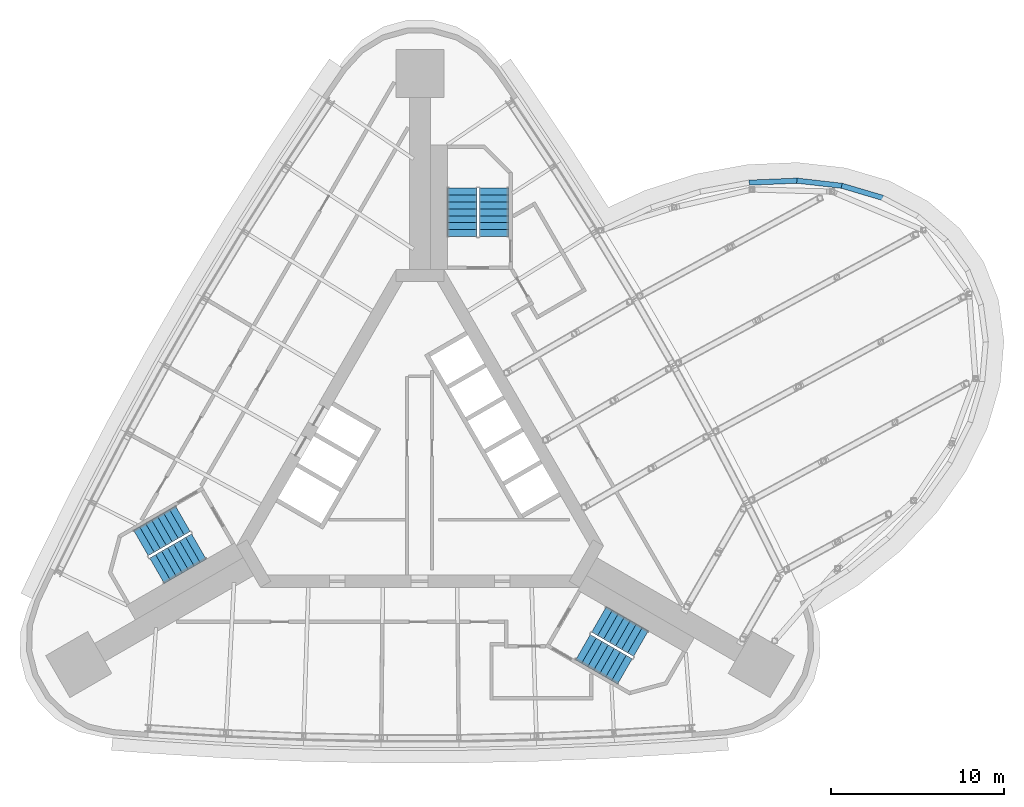
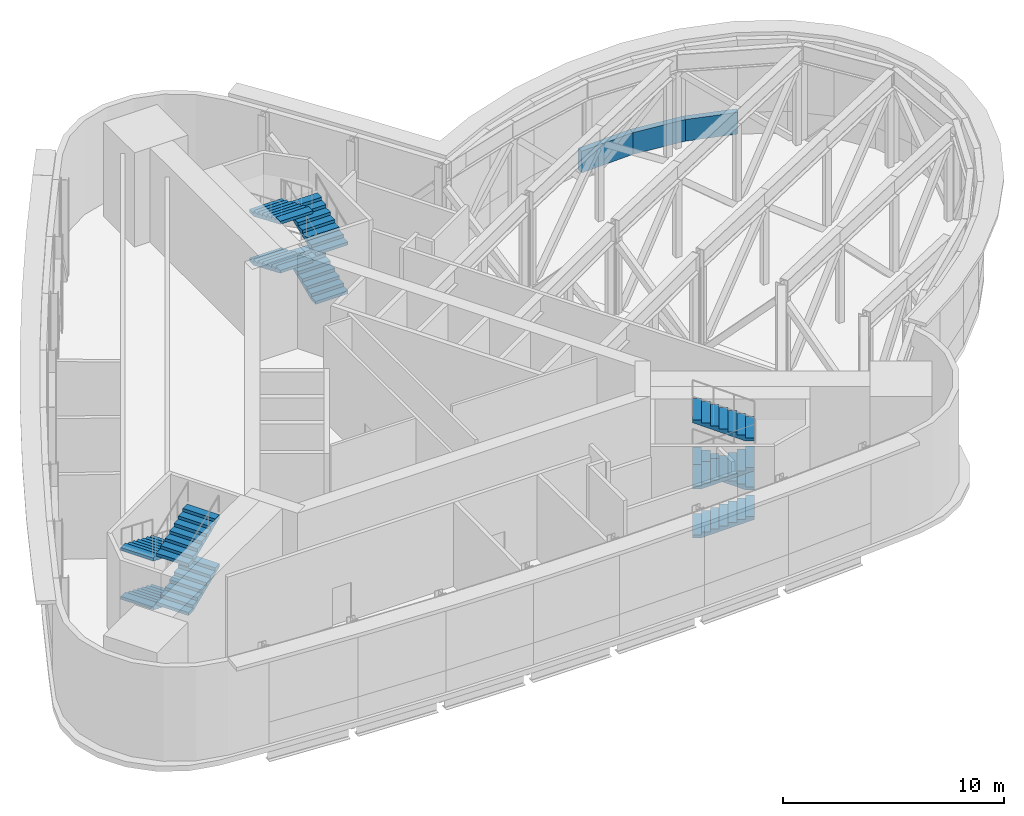
# One storey, part 9 of 11: 12 stair flights, 3 walls, 3 elements without a shape of their own.
"""IFC4 building model written with IfcOpenShell, lengths in metres."""

from ifc_helpers import new_model, si_unit, direction, frame, origin, place, context, subcontext, project, spatial, polyline, outline, extrude, material, layer, layer_set, type_object, element, aggregate, save


model = new_model("IFC4")

# Units and contexts
model_context = context("Model", 3, precision=1e-05, world=origin(), true_north=direction((0.0, 1.0)))
body_context = subcontext(model_context, "Body", "Model", "MODEL_VIEW")
ifc_project = project(units=[si_unit("LENGTHUNIT", "METRE"), si_unit("AREAUNIT", "SQUARE_METRE"), si_unit("VOLUMEUNIT", "CUBIC_METRE"), si_unit("PLANEANGLEUNIT", "RADIAN"), si_unit("MASSUNIT", "GRAM", prefix="KILO")], contexts=[model_context])

# Site, building, storey
site_placement = place(None, origin())
site = spatial("IfcSite", under=ifc_project, at=site_placement, CompositionType="ELEMENT")
building_placement = place(site_placement, origin())
building = spatial("IfcBuilding", under=site, at=building_placement, Name="Noor Cloister Tower", CompositionType="ELEMENT")
storey_placement = place(building_placement, frame((0.0, 0.0, 168.89990234375)))
storey = spatial("IfcBuildingStorey", under=building, at=storey_placement, Name="L43", CompositionType="ELEMENT", Elevation=168.89990234375)

# Walls
ifc_material_1 = material(Name="Limestone", Category="masonry")
ifc_layer = layer(ifc_material_1, 0.300048828125)
ifc_layer_set = layer_set([ifc_layer], Name="Limestone panel wall 300")
wall_type = type_object("IfcWallType", Name="Limestone panel wall 300", PredefinedType="NOTDEFINED", material=ifc_layer_set)
wall_1_placement = place(storey_placement, origin())
element("IfcWall", 1, at=wall_1_placement, inside=storey, type_object=wall_type, Name="Limestone panel wall L43 3.13", PredefinedType="NOTDEFINED", context=body_context, shape_type="SweptSolid", body=[
    extrude(outline(polyline([(26.80224609375, 15.735107421875), (24.428955078125, 16.4384765625), (24.34375, 16.15087890625), (26.717041015625, 15.447509765625), (26.80224609375, 15.735107421875)])), origin(), (0.0, 0.0, 1.0), 1.2001953125),
])
wall_2_placement = place(storey_placement, origin())
element("IfcWall", 2, at=wall_2_placement, inside=storey, type_object=wall_type, Name="Limestone panel wall L43 3.14", PredefinedType="NOTDEFINED", context=body_context, shape_type="SweptSolid", body=[
    extrude(outline(polyline([(24.428955078125, 16.4384765625), (21.81201171875, 16.737060546875), (21.778076171875, 16.43896484375), (24.39501953125, 16.140625), (24.428955078125, 16.4384765625)])), origin(), (0.0, 0.0, 1.0), 1.2001953125),
])
wall_3_placement = place(storey_placement, origin())
element("IfcWall", 3, at=wall_3_placement, inside=storey, type_object=wall_type, Name="Limestone panel wall L43 3.15", PredefinedType="NOTDEFINED", context=body_context, shape_type="SweptSolid", body=[
    extrude(outline(polyline([(21.81201171875, 16.737060546875), (19.03125, 16.62158203125), (19.043701171875, 16.322021484375), (21.824462890625, 16.437255859375), (21.81201171875, 16.737060546875)])), origin(), (0.0, 0.0, 1.0), 1.2001953125),
])

# Stair, stair flights
ifc_material_2 = material(Name="Concrete C40/50", Category="concrete")
stair_type = type_object("IfcStairType", Name="Exit stair 32 risers", PredefinedType="HALF_TURN_STAIR", material=ifc_material_2)
stair_1_placement = place(storey_placement, origin())
stair_1 = element("IfcStair", 4, at=stair_1_placement, inside=storey, type_object=stair_type, Name="Exit stair ST1 L43", PredefinedType="HALF_TURN_STAIR")
ifc_material_3 = material(Name="Concrete C40/50", Category="concrete")
stair_flight_type = type_object("IfcStairFlightType", Name="Exit stair flight", PredefinedType="STRAIGHT", material=ifc_material_3)
stair_flight_1_placement = place(storey_placement, frame((4.28564453125, 13.3564453125, 0.0), z_axis=(0.0, 0.0, 1.0), x_axis=(0.0, 1.0, 0.0)))
stair_flight_1 = element("IfcStairFlight", 5, at=stair_flight_1_placement, type_object=stair_flight_type, Name="ST1 flight 1", NumberOfRisers=8, NumberOfTreads=7, PredefinedType="STRAIGHT", RiserHeight=0.16875, TreadLength=0.4, context=body_context, shape_type="SweptSolid", body=[
    extrude(outline(polyline([(0.0, 0.0), (0.0, 0.168701171875), (0.39990234375, 0.168701171875), (0.39990234375, 0.33740234375), (0.800048828125, 0.33740234375), (0.800048828125, 0.50634765625), (1.199951171875, 0.50634765625), (1.199951171875, 0.675048828125), (1.60009765625, 0.675048828125), (1.60009765625, 0.84375), (2.0, 0.84375), (2.0, 1.012451171875), (2.39990234375, 1.012451171875), (2.39990234375, 1.18115234375), (2.800048828125, 1.18115234375), (2.800048828125, 1.35009765625), (2.800048828125, 1.0185546875), (0.3857421875, 0.0), (0.0, 0.0)])), frame((0.0, 0.85009765625, 0.0), z_axis=(0.0, -1.0, 0.0), x_axis=(1.0, 0.0, 0.0)), (0.0, 0.0, 1.0), 1.699951171875),
])
stair_flight_2_placement = place(storey_placement, frame((2.435546875, 16.156494140625, 1.35009765625), z_axis=(0.0, 0.0, 1.0), x_axis=(0.0, -1.0, 0.0)))
stair_flight_2 = element("IfcStairFlight", 6, at=stair_flight_2_placement, type_object=stair_flight_type, Name="ST1 flight 2", NumberOfRisers=8, NumberOfTreads=7, PredefinedType="STRAIGHT", RiserHeight=0.16875, TreadLength=0.4, context=body_context, shape_type="SweptSolid", body=[
    extrude(outline(polyline([(0.0, 0.0), (0.0, 0.168701171875), (0.39990234375, 0.168701171875), (0.39990234375, 0.33740234375), (0.800048828125, 0.33740234375), (0.800048828125, 0.50634765625), (1.199951171875, 0.50634765625), (1.199951171875, 0.675048828125), (1.60009765625, 0.675048828125), (1.60009765625, 0.84375), (2.0, 0.84375), (2.0, 1.012451171875), (2.39990234375, 1.012451171875), (2.39990234375, 1.18115234375), (2.800048828125, 1.18115234375), (2.800048828125, 1.35009765625), (2.800048828125, 1.0185546875), (0.3857421875, 0.0), (0.0, 0.0)])), frame((0.0, 0.85009765625, 0.0), z_axis=(0.0, -1.0, 0.0), x_axis=(1.0, 0.0, 0.0)), (0.0, 0.0, 1.0), 1.699951171875),
])
stair_flight_3_placement = place(storey_placement, frame((4.28564453125, 13.3564453125, 2.7001953125), z_axis=(0.0, 0.0, 1.0), x_axis=(0.0, 1.0, 0.0)))
stair_flight_3 = element("IfcStairFlight", 7, at=stair_flight_3_placement, type_object=stair_flight_type, Name="ST1 flight 3", NumberOfRisers=8, NumberOfTreads=7, PredefinedType="STRAIGHT", RiserHeight=0.16875, TreadLength=0.4, context=body_context, shape_type="SweptSolid", body=[
    extrude(outline(polyline([(0.0, 0.0), (0.0, 0.168701171875), (0.39990234375, 0.168701171875), (0.39990234375, 0.33740234375), (0.800048828125, 0.33740234375), (0.800048828125, 0.50634765625), (1.199951171875, 0.50634765625), (1.199951171875, 0.675048828125), (1.60009765625, 0.675048828125), (1.60009765625, 0.84375), (2.0, 0.84375), (2.0, 1.012451171875), (2.39990234375, 1.012451171875), (2.39990234375, 1.18115234375), (2.800048828125, 1.18115234375), (2.800048828125, 1.35009765625), (2.800048828125, 1.0185546875), (0.3857421875, 0.0), (0.0, 0.0)])), frame((0.0, 0.85009765625, 0.0), z_axis=(0.0, -1.0, 0.0), x_axis=(1.0, 0.0, 0.0)), (0.0, 0.0, 1.0), 1.699951171875),
])
stair_flight_4_placement = place(storey_placement, frame((2.435546875, 16.156494140625, 4.050048828125), z_axis=(0.0, 0.0, 1.0), x_axis=(0.0, -1.0, 0.0)))
stair_flight_4 = element("IfcStairFlight", 8, at=stair_flight_4_placement, type_object=stair_flight_type, Name="ST1 flight 4", NumberOfRisers=8, NumberOfTreads=7, PredefinedType="STRAIGHT", RiserHeight=0.16875, TreadLength=0.4, context=body_context, shape_type="SweptSolid", body=[
    extrude(outline(polyline([(0.0, 0.0), (0.0, 0.168701171875), (0.39990234375, 0.168701171875), (0.39990234375, 0.33740234375), (0.800048828125, 0.33740234375), (0.800048828125, 0.50634765625), (1.199951171875, 0.50634765625), (1.199951171875, 0.675048828125), (1.60009765625, 0.675048828125), (1.60009765625, 0.84375), (2.0, 0.84375), (2.0, 1.012451171875), (2.39990234375, 1.012451171875), (2.39990234375, 1.18115234375), (2.800048828125, 1.18115234375), (2.800048828125, 1.35009765625), (2.800048828125, 1.0185546875), (0.3857421875, 0.0), (0.0, 0.0)])), frame((0.0, 0.85009765625, 0.0), z_axis=(0.0, -1.0, 0.0), x_axis=(1.0, 0.0, 0.0)), (0.0, 0.0, 1.0), 1.699951171875),
])
aggregate(stair_1, [stair_flight_1, stair_flight_2, stair_flight_3, stair_flight_4])

stair_2_placement = place(storey_placement, origin())
stair_2 = element("IfcStair", 9, at=stair_2_placement, inside=storey, type_object=stair_type, Name="Exit stair ST2 L43", PredefinedType="HALF_TURN_STAIR")
stair_flight_5_placement = place(storey_placement, frame((-13.709716796875, -2.966796875, 0.0), z_axis=(0.0, 0.0, 1.0), x_axis=(-0.866025403784, -0.5, 0.0)))
stair_flight_5 = element("IfcStairFlight", 10, at=stair_flight_5_placement, type_object=stair_flight_type, Name="ST2 flight 1", NumberOfRisers=8, NumberOfTreads=7, PredefinedType="STRAIGHT", RiserHeight=0.16875, TreadLength=0.4, context=body_context, shape_type="SweptSolid", body=[
    extrude(outline(polyline([(0.0, 0.0), (0.0, 0.168701171875), (0.39990234375, 0.168701171875), (0.39990234375, 0.33740234375), (0.800048828125, 0.33740234375), (0.800048828125, 0.50634765625), (1.199951171875, 0.50634765625), (1.199951171875, 0.675048828125), (1.60009765625, 0.675048828125), (1.60009765625, 0.84375), (2.0, 0.84375), (2.0, 1.012451171875), (2.39990234375, 1.012451171875), (2.39990234375, 1.18115234375), (2.800048828125, 1.18115234375), (2.800048828125, 1.35009765625), (2.800048828125, 1.0185546875), (0.3857421875, 0.0), (0.0, 0.0)])), frame((0.0, 0.85009765625, 0.0), z_axis=(0.0, -1.0, 0.0), x_axis=(1.0, 0.0, 0.0)), (0.0, 0.0, 1.0), 1.699951171875),
])
stair_flight_6_placement = place(storey_placement, frame((-15.209716796875, -5.968994140625, 1.35009765625), z_axis=(0.0, 0.0, 1.0), x_axis=(0.866025403784, 0.5, 0.0)))
stair_flight_6 = element("IfcStairFlight", 11, at=stair_flight_6_placement, type_object=stair_flight_type, Name="ST2 flight 2", NumberOfRisers=8, NumberOfTreads=7, PredefinedType="STRAIGHT", RiserHeight=0.16875, TreadLength=0.4, context=body_context, shape_type="SweptSolid", body=[
    extrude(outline(polyline([(0.0, 0.0), (0.0, 0.168701171875), (0.39990234375, 0.168701171875), (0.39990234375, 0.33740234375), (0.800048828125, 0.33740234375), (0.800048828125, 0.50634765625), (1.199951171875, 0.50634765625), (1.199951171875, 0.675048828125), (1.60009765625, 0.675048828125), (1.60009765625, 0.84375), (2.0, 0.84375), (2.0, 1.012451171875), (2.39990234375, 1.012451171875), (2.39990234375, 1.18115234375), (2.800048828125, 1.18115234375), (2.800048828125, 1.35009765625), (2.800048828125, 1.0185546875), (0.3857421875, 0.0), (0.0, 0.0)])), frame((0.0, 0.85009765625, 0.0), z_axis=(0.0, -1.0, 0.0), x_axis=(1.0, 0.0, 0.0)), (0.0, 0.0, 1.0), 1.699951171875),
])
stair_flight_7_placement = place(storey_placement, frame((-13.709716796875, -2.966796875, 2.7001953125), z_axis=(0.0, 0.0, 1.0), x_axis=(-0.866025403784, -0.5, 0.0)))
stair_flight_7 = element("IfcStairFlight", 12, at=stair_flight_7_placement, type_object=stair_flight_type, Name="ST2 flight 3", NumberOfRisers=8, NumberOfTreads=7, PredefinedType="STRAIGHT", RiserHeight=0.16875, TreadLength=0.4, context=body_context, shape_type="SweptSolid", body=[
    extrude(outline(polyline([(0.0, 0.0), (0.0, 0.168701171875), (0.39990234375, 0.168701171875), (0.39990234375, 0.33740234375), (0.800048828125, 0.33740234375), (0.800048828125, 0.50634765625), (1.199951171875, 0.50634765625), (1.199951171875, 0.675048828125), (1.60009765625, 0.675048828125), (1.60009765625, 0.84375), (2.0, 0.84375), (2.0, 1.012451171875), (2.39990234375, 1.012451171875), (2.39990234375, 1.18115234375), (2.800048828125, 1.18115234375), (2.800048828125, 1.35009765625), (2.800048828125, 1.0185546875), (0.3857421875, 0.0), (0.0, 0.0)])), frame((0.0, 0.85009765625, 0.0), z_axis=(0.0, -1.0, 0.0), x_axis=(1.0, 0.0, 0.0)), (0.0, 0.0, 1.0), 1.699951171875),
])
stair_flight_8_placement = place(storey_placement, frame((-15.209716796875, -5.968994140625, 4.050048828125), z_axis=(0.0, 0.0, 1.0), x_axis=(0.866025403784, 0.5, 0.0)))
stair_flight_8 = element("IfcStairFlight", 13, at=stair_flight_8_placement, type_object=stair_flight_type, Name="ST2 flight 4", NumberOfRisers=8, NumberOfTreads=7, PredefinedType="STRAIGHT", RiserHeight=0.16875, TreadLength=0.4, context=body_context, shape_type="SweptSolid", body=[
    extrude(outline(polyline([(0.0, 0.0), (0.0, 0.168701171875), (0.39990234375, 0.168701171875), (0.39990234375, 0.33740234375), (0.800048828125, 0.33740234375), (0.800048828125, 0.50634765625), (1.199951171875, 0.50634765625), (1.199951171875, 0.675048828125), (1.60009765625, 0.675048828125), (1.60009765625, 0.84375), (2.0, 0.84375), (2.0, 1.012451171875), (2.39990234375, 1.012451171875), (2.39990234375, 1.18115234375), (2.800048828125, 1.18115234375), (2.800048828125, 1.35009765625), (2.800048828125, 1.0185546875), (0.3857421875, 0.0), (0.0, 0.0)])), frame((0.0, 0.85009765625, 0.0), z_axis=(0.0, -1.0, 0.0), x_axis=(1.0, 0.0, 0.0)), (0.0, 0.0, 1.0), 1.699951171875),
])
aggregate(stair_2, [stair_flight_5, stair_flight_6, stair_flight_7, stair_flight_8])

stair_3_placement = place(storey_placement, origin())
stair_3 = element("IfcStair", 14, at=stair_3_placement, inside=storey, type_object=stair_type, Name="Exit stair ST3 L43", PredefinedType="HALF_TURN_STAIR")
stair_flight_9_placement = place(storey_placement, frame((9.424072265625, -10.3896484375, 0.0), z_axis=(0.0, 0.0, 1.0), x_axis=(0.866025403784, -0.5, 0.0)))
stair_flight_9 = element("IfcStairFlight", 15, at=stair_flight_9_placement, type_object=stair_flight_type, Name="ST3 flight 1", NumberOfRisers=8, NumberOfTreads=7, PredefinedType="STRAIGHT", RiserHeight=0.16875, TreadLength=0.4, context=body_context, shape_type="SweptSolid", body=[
    extrude(outline(polyline([(0.0, 0.0), (0.0, 0.168701171875), (0.39990234375, 0.168701171875), (0.39990234375, 0.33740234375), (0.800048828125, 0.33740234375), (0.800048828125, 0.50634765625), (1.199951171875, 0.50634765625), (1.199951171875, 0.675048828125), (1.60009765625, 0.675048828125), (1.60009765625, 0.84375), (2.0, 0.84375), (2.0, 1.012451171875), (2.39990234375, 1.012451171875), (2.39990234375, 1.18115234375), (2.800048828125, 1.18115234375), (2.800048828125, 1.35009765625), (2.800048828125, 1.0185546875), (0.3857421875, 0.0), (0.0, 0.0)])), frame((0.0, 0.85009765625, 0.0), z_axis=(0.0, -1.0, 0.0), x_axis=(1.0, 0.0, 0.0)), (0.0, 0.0, 1.0), 1.699951171875),
])
stair_flight_10_placement = place(storey_placement, frame((12.77392578125, -10.1875, 1.35009765625), z_axis=(0.0, 0.0, 1.0), x_axis=(-0.866025403784, 0.5, 0.0)))
stair_flight_10 = element("IfcStairFlight", 16, at=stair_flight_10_placement, type_object=stair_flight_type, Name="ST3 flight 2", NumberOfRisers=8, NumberOfTreads=7, PredefinedType="STRAIGHT", RiserHeight=0.16875, TreadLength=0.4, context=body_context, shape_type="SweptSolid", body=[
    extrude(outline(polyline([(0.0, 0.0), (0.0, 0.168701171875), (0.39990234375, 0.168701171875), (0.39990234375, 0.33740234375), (0.800048828125, 0.33740234375), (0.800048828125, 0.50634765625), (1.199951171875, 0.50634765625), (1.199951171875, 0.675048828125), (1.60009765625, 0.675048828125), (1.60009765625, 0.84375), (2.0, 0.84375), (2.0, 1.012451171875), (2.39990234375, 1.012451171875), (2.39990234375, 1.18115234375), (2.800048828125, 1.18115234375), (2.800048828125, 1.35009765625), (2.800048828125, 1.0185546875), (0.3857421875, 0.0), (0.0, 0.0)])), frame((0.0, 0.85009765625, 0.0), z_axis=(0.0, -1.0, 0.0), x_axis=(1.0, 0.0, 0.0)), (0.0, 0.0, 1.0), 1.699951171875),
])
stair_flight_11_placement = place(storey_placement, frame((9.424072265625, -10.3896484375, 2.7001953125), z_axis=(0.0, 0.0, 1.0), x_axis=(0.866025403784, -0.5, 0.0)))
stair_flight_11 = element("IfcStairFlight", 17, at=stair_flight_11_placement, type_object=stair_flight_type, Name="ST3 flight 3", NumberOfRisers=8, NumberOfTreads=7, PredefinedType="STRAIGHT", RiserHeight=0.16875, TreadLength=0.4, context=body_context, shape_type="SweptSolid", body=[
    extrude(outline(polyline([(0.0, 0.0), (0.0, 0.168701171875), (0.39990234375, 0.168701171875), (0.39990234375, 0.33740234375), (0.800048828125, 0.33740234375), (0.800048828125, 0.50634765625), (1.199951171875, 0.50634765625), (1.199951171875, 0.675048828125), (1.60009765625, 0.675048828125), (1.60009765625, 0.84375), (2.0, 0.84375), (2.0, 1.012451171875), (2.39990234375, 1.012451171875), (2.39990234375, 1.18115234375), (2.800048828125, 1.18115234375), (2.800048828125, 1.35009765625), (2.800048828125, 1.0185546875), (0.3857421875, 0.0), (0.0, 0.0)])), frame((0.0, 0.85009765625, 0.0), z_axis=(0.0, -1.0, 0.0), x_axis=(1.0, 0.0, 0.0)), (0.0, 0.0, 1.0), 1.699951171875),
])
stair_flight_12_placement = place(storey_placement, frame((12.77392578125, -10.1875, 4.050048828125), z_axis=(0.0, 0.0, 1.0), x_axis=(-0.866025403784, 0.5, 0.0)))
stair_flight_12 = element("IfcStairFlight", 18, at=stair_flight_12_placement, type_object=stair_flight_type, Name="ST3 flight 4", NumberOfRisers=8, NumberOfTreads=7, PredefinedType="STRAIGHT", RiserHeight=0.16875, TreadLength=0.4, context=body_context, shape_type="SweptSolid", body=[
    extrude(outline(polyline([(0.0, 0.0), (0.0, 0.168701171875), (0.39990234375, 0.168701171875), (0.39990234375, 0.33740234375), (0.800048828125, 0.33740234375), (0.800048828125, 0.50634765625), (1.199951171875, 0.50634765625), (1.199951171875, 0.675048828125), (1.60009765625, 0.675048828125), (1.60009765625, 0.84375), (2.0, 0.84375), (2.0, 1.012451171875), (2.39990234375, 1.012451171875), (2.39990234375, 1.18115234375), (2.800048828125, 1.18115234375), (2.800048828125, 1.35009765625), (2.800048828125, 1.0185546875), (0.3857421875, 0.0), (0.0, 0.0)])), frame((0.0, 0.85009765625, 0.0), z_axis=(0.0, -1.0, 0.0), x_axis=(1.0, 0.0, 0.0)), (0.0, 0.0, 1.0), 1.699951171875),
])
aggregate(stair_3, [stair_flight_9, stair_flight_10, stair_flight_11, stair_flight_12])

save(model, "model.ifc")
